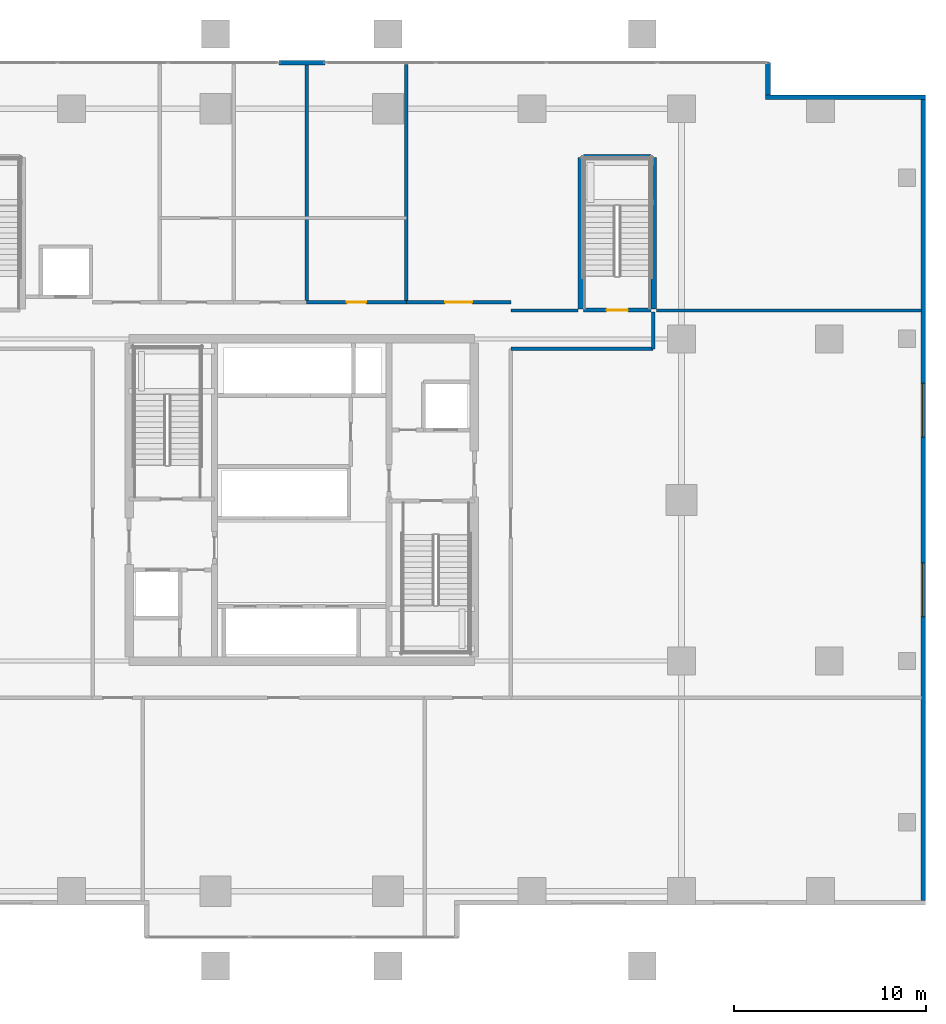
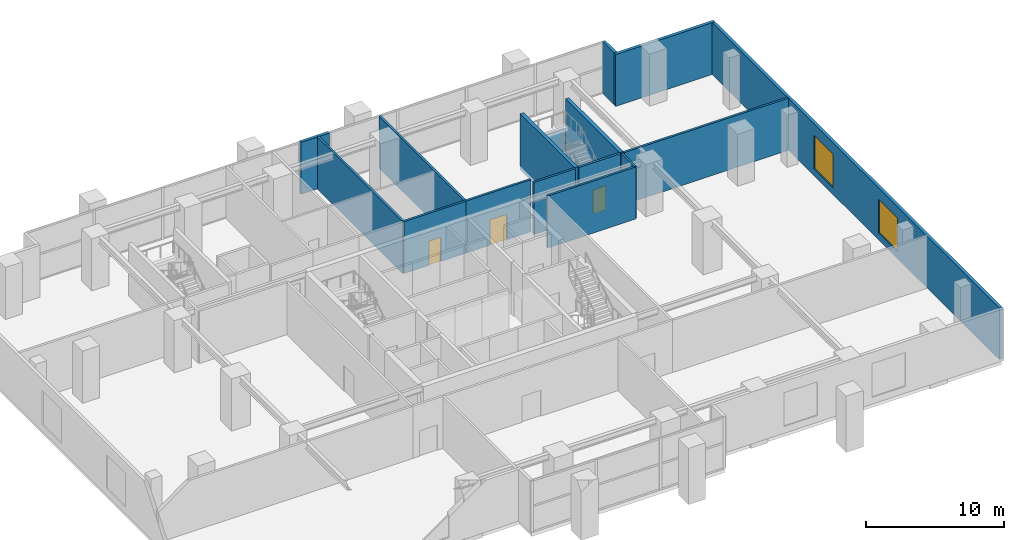
# One storey, part 15 of 20: 16 walls, 3 doors, 2 windows, 5 openings.
"""IFC4 building model written with IfcOpenShell, lengths in metres."""

from ifc_helpers import new_model, si_unit, direction, frame, frame_2d, origin, place, context, subcontext, project, spatial, rectangle, extrude, source, transform, mapped, material, layer, layer_set, type_object, element, fill, save


model = new_model("IFC4")

# Units and contexts
model_context = context("Model", 3, precision=1e-05, world=origin(), true_north=direction((0.0, 1.0)))
body_context = subcontext(model_context, "Body", "Model", "MODEL_VIEW")
ifc_project = project(units=[si_unit("LENGTHUNIT", "METRE"), si_unit("AREAUNIT", "SQUARE_METRE"), si_unit("VOLUMEUNIT", "CUBIC_METRE"), si_unit("PLANEANGLEUNIT", "RADIAN"), si_unit("MASSUNIT", "GRAM", prefix="KILO")], contexts=[model_context])

# Site, building, storey
site_placement = place(None, origin())
site = spatial("IfcSite", under=ifc_project, at=site_placement, CompositionType="ELEMENT")
building_placement = place(site_placement, origin())
building = spatial("IfcBuilding", under=site, at=building_placement, Name="Serunith Strait Residences", CompositionType="ELEMENT")
storey_placement = place(building_placement, frame((0.0, 0.0, 5.5)))
storey = spatial("IfcBuildingStorey", under=building, at=storey_placement, Name="L01", CompositionType="ELEMENT", Elevation=5.5)

# Wall, openings, windows
ifc_material_1 = material(Name="Pale-Silver Aluminium Terracotta-Backed Wall", Category="masonry")
ifc_layer_1 = layer(ifc_material_1, 0.25, Name="Pale-Silver Aluminium Terracotta-Backed Wall")
ifc_layer_set_1 = layer_set([ifc_layer_1], Name="Pale-Silver Aluminium Terracotta-Backed Wall")
wall_type_1 = type_object("IfcWallType", Name="EW-POD-250", PredefinedType="ELEMENTEDWALL", material=ifc_layer_set_1)
wall_1_placement = place(storey_placement, frame((64.800048828125, 4.324951171875, 0.0), z_axis=(0.0, 0.0, 1.0), x_axis=(0.0, 1.0, 0.0)))
wall_1 = element("IfcWall", 1, at=wall_1_placement, inside=storey, type_object=wall_type_1, Name="L01 Podium Envelope Wall 6", PredefinedType="ELEMENTEDWALL", context=body_context, shape_type="SweptSolid", body=[
    extrude(rectangle(XDim=41.75, YDim=0.25, at=frame_2d((20.875, 0.0))), origin(), (0.0, 0.0, 1.0), 4.60498046875),
])
opening_1_placement = place(wall_1_placement, frame((14.801025390625, 0.0, 0.60009765625)))
opening_1 = element("IfcOpeningElement", 2, at=opening_1_placement, cuts=wall_1, Name="Opening W-07", PredefinedType="OPENING", context=body_context, shape_type="SweptSolid", body=[
    extrude(rectangle(XDim=2.800048828125, YDim=3.0, at=frame_2d((1.39990234375, 1.5))), frame((0.0, 0.135009765625, 0.0), z_axis=(0.0, -1.0, 0.0), x_axis=(1.0, 0.0, 0.0)), (0.0, 0.0, 1.0), 0.27001953125),
])
opening_2_placement = place(wall_1_placement, frame((24.14892578125, 0.0, 0.60009765625)))
opening_2 = element("IfcOpeningElement", 3, at=opening_2_placement, cuts=wall_1, Name="Opening W-07", PredefinedType="OPENING", context=body_context, shape_type="SweptSolid", body=[
    extrude(rectangle(XDim=2.800048828125, YDim=3.0, at=frame_2d((1.39990234375, 1.5))), frame((0.0, 0.135009765625, 0.0), z_axis=(0.0, -1.0, 0.0), x_axis=(1.0, 0.0, 0.0)), (0.0, 0.0, 1.0), 0.27001953125),
])
ifc_material_2 = material(Name="Podium Storefront Low-E Laminated Glass", Category="glass")
window_type = type_object("IfcWindowType", Name="WIN-POD1", PartitioningType="TRIPLE_PANEL_VERTICAL", PredefinedType="WINDOW", material=ifc_material_2)
shared_shape_1 = source(origin(), body_context, "Body", "SweptSolid", [
    extrude(rectangle(XDim=2.800048828125, YDim=3.0, at=frame_2d((1.39990234375, 1.5))), frame((0.0, 0.030029296875, 0.0), z_axis=(0.0, -1.0, 0.0), x_axis=(1.0, 0.0, 0.0)), (0.0, 0.0, 1.0), 0.06005859375),
])
window_1_placement = place(opening_1_placement, origin())
window_1 = element("IfcWindow", 4, at=window_1_placement, inside=storey, type_object=window_type, Name="L01 Podium Window 6A", OverallHeight=3.0, OverallWidth=2.800048828125, PartitioningType="SINGLE_PANEL", PredefinedType="WINDOW", context=body_context, shape_type="MappedRepresentation", body=[
    mapped(shared_shape_1, transform((0.0, 0.0, 0.0), scale=1.0)),
])
fill(opening_1, window_1)
window_2_placement = place(opening_2_placement, origin())
window_2 = element("IfcWindow", 5, at=window_2_placement, inside=storey, type_object=window_type, Name="L01 Podium Window 6B", OverallHeight=3.0, OverallWidth=2.800048828125, PartitioningType="SINGLE_PANEL", PredefinedType="WINDOW", context=body_context, shape_type="MappedRepresentation", body=[
    mapped(shared_shape_1, transform((0.0, 0.0, 0.0), scale=1.0)),
])
fill(opening_2, window_2)

# Walls
wall_2_placement = place(storey_placement, frame((64.925048828125, 46.199951171875, 0.0), z_axis=(0.0, 0.0, 1.0), x_axis=(-1.0, 0.0, 0.0)))
element("IfcWall", 6, at=wall_2_placement, inside=storey, type_object=wall_type_1, Name="L01 Podium Envelope Wall 7", PredefinedType="ELEMENTEDWALL", context=body_context, shape_type="SweptSolid", body=[
    extrude(rectangle(XDim=8.35009765625, YDim=0.25, at=frame_2d((4.175048828125, 0.0))), origin(), (0.0, 0.0, 1.0), 4.60498046875),
])
wall_3_placement = place(storey_placement, frame((56.699951171875, 46.324951171875, 0.0), z_axis=(0.0, 0.0, 1.0), x_axis=(0.0, 1.0, 0.0)))
element("IfcWall", 7, at=wall_3_placement, inside=storey, type_object=wall_type_1, Name="L01 Podium Envelope Wall 8", PredefinedType="ELEMENTEDWALL", context=body_context, shape_type="SweptSolid", body=[
    extrude(rectangle(XDim=1.675048828125, YDim=0.25, at=frame_2d((0.83740234375, 0.0))), origin(), (0.0, 0.0, 1.0), 4.60498046875),
])
wall_4_placement = place(storey_placement, frame((33.60009765625, 48.0, 0.0), z_axis=(0.0, 0.0, 1.0), x_axis=(-1.0, 0.0, 0.0)))
element("IfcWall", 8, at=wall_4_placement, inside=storey, type_object=wall_type_1, Name="L01 Podium Galleria Central Pier", PredefinedType="ELEMENTEDWALL", context=body_context, shape_type="SweptSolid", body=[
    extrude(rectangle(XDim=2.400146484375, YDim=0.25, at=frame_2d((1.2001953125, 0.0))), origin(), (0.0, 0.0, 1.0), 4.60498046875),
])
ifc_material_3 = material(Name="Fire-rated acoustic gypsum partition")
ifc_layer_2 = layer(ifc_material_3, 0.179931640625, Name="Fire-rated acoustic gypsum partition")
ifc_layer_set_2 = layer_set([ifc_layer_2], Name="Fire-rated acoustic gypsum partition")
wall_type_2 = type_object("IfcWallType", Name="IW-CORR-180", PredefinedType="PARTITIONING", material=ifc_layer_set_2)
wall_5_placement = place(storey_placement, frame((43.300048828125, 35.080078125, 0.0), z_axis=(0.0, 0.0, 1.0), x_axis=(1.0, 0.0, 0.0)))
element("IfcWall", 9, at=wall_5_placement, inside=storey, type_object=wall_type_2, Name="L01 Partition Wall 019", PredefinedType="PARTITIONING", context=body_context, shape_type="SweptSolid", body=[
    extrude(rectangle(XDim=3.5, YDim=0.179931640625, at=frame_2d((1.75, 0.0))), origin(), (0.0, 0.0, 1.0), 4.6201171875),
])
wall_6_placement = place(storey_placement, frame((43.300048828125, 33.080078125, 0.0), z_axis=(0.0, 0.0, 1.0), x_axis=(1.0, 0.0, 0.0)))
element("IfcWall", 10, at=wall_6_placement, inside=storey, type_object=wall_type_2, Name="L01 Partition Wall 020", PredefinedType="PARTITIONING", context=body_context, shape_type="SweptSolid", body=[
    extrude(rectangle(XDim=7.419921875, YDim=0.179931640625, at=frame_2d((3.7099609375, 0.0))), origin(), (0.0, 0.0, 1.0), 4.6201171875),
])
wall_7_placement = place(storey_placement, frame((50.89990234375, 35.080078125, 0.0), z_axis=(0.0, 0.0, 1.0), x_axis=(1.0, 0.0, 0.0)))
element("IfcWall", 11, at=wall_7_placement, inside=storey, type_object=wall_type_2, Name="L01 Partition Wall 021", PredefinedType="PARTITIONING", context=body_context, shape_type="SweptSolid", body=[
    extrude(rectangle(XDim=13.818115234375, YDim=0.179931640625, at=frame_2d((6.9091796875, 0.0))), origin(), (0.0, 0.0, 1.0), 4.6201171875),
])
wall_8_placement = place(storey_placement, frame((50.719970703125, 33.080078125, 0.0), z_axis=(0.0, 0.0, 1.0), x_axis=(0.0, 1.0, 0.0)))
element("IfcWall", 12, at=wall_8_placement, inside=storey, type_object=wall_type_2, Name="L01 Partition Wall 023", PredefinedType="PARTITIONING", context=body_context, shape_type="SweptSolid", body=[
    extrude(rectangle(XDim=1.919921875, YDim=0.179931640625, at=frame_2d((0.9599609375, 0.0))), origin(), (0.0, 0.0, 1.0), 4.6201171875),
])
for number, where, z_axis, x_axis, name in (
    (13, (32.64990234375, 35.5, 0.0), (0.0, 0.0, 1.0), (0.0, 1.0, 0.0), "L01 Partition Wall 028"),
    (14, (37.85009765625, 35.5, 0.0), (0.0, 0.0, 1.0), (0.0, 1.0, 0.0), "L01 Partition Wall 029"),
):
    element("IfcWall", number, at=place(storey_placement, frame(where, z_axis=z_axis, x_axis=x_axis)), inside=storey, type_object=wall_type_2, Name=name, PredefinedType="PARTITIONING", context=body_context, shape_type="SweptSolid", body=[
        extrude(rectangle(XDim=12.41796875, YDim=0.179931640625, at=frame_2d((6.208984375, 0.0))), origin(), (0.0, 0.0, 1.0), 4.6201171875),
    ])

# Wall, opening, door
wall_9_placement = place(storey_placement, frame((32.652099609375, 35.5, 0.0), z_axis=(0.0, 0.0, 1.0), x_axis=(1.0, 0.0, 0.0)))
wall_9 = element("IfcWall", 15, at=wall_9_placement, inside=storey, type_object=wall_type_2, Name="L01 Partition Wall 036", PredefinedType="PARTITIONING", context=body_context, shape_type="SweptSolid", body=[
    extrude(rectangle(XDim=5.197998046875, YDim=0.179931640625, at=frame_2d((2.59912109375, 0.0))), origin(), (0.0, 0.0, 1.0), 4.6201171875),
])
opening_3_placement = place(wall_9_placement, frame((2.09912109375, 0.0, 0.0)))
opening_3 = element("IfcOpeningElement", 16, at=opening_3_placement, cuts=wall_9, Name="Opening D-APT1000", PredefinedType="OPENING", context=body_context, shape_type="SweptSolid", body=[
    extrude(rectangle(XDim=1.0, YDim=2.14990234375, at=frame_2d((0.5, 1.074951171875))), frame((0.0, 0.10009765625, 0.0), z_axis=(0.0, -1.0, 0.0), x_axis=(1.0, 0.0, 0.0)), (0.0, 0.0, 1.0), 0.199951171875),
])
ifc_material_4 = material(Name="Solid timber engineered fire door", Category="wood")
door_type_1 = type_object("IfcDoorType", Name="ID-APT-1000", OperationType="NOTDEFINED", PredefinedType="DOOR", material=ifc_material_4)
shared_shape_2 = source(origin(), body_context, "Body", "SweptSolid", [
    extrude(rectangle(XDim=1.0, YDim=2.14990234375, at=frame_2d((0.5, 1.074951171875))), frame((0.0, 0.02490234375, 0.0), z_axis=(0.0, -1.0, 0.0), x_axis=(1.0, 0.0, 0.0)), (0.0, 0.0, 1.0), 0.050048828125),
])
door_1_placement = place(opening_3_placement, origin())
door_1 = element("IfcDoor", 17, at=door_1_placement, inside=storey, type_object=door_type_1, Name="L01 Public Female WC Door", OperationType="SINGLE_SWING_RIGHT", OverallHeight=2.14990234375, OverallWidth=1.0, PredefinedType="DOOR", context=body_context, shape_type="MappedRepresentation", body=[
    mapped(shared_shape_2, transform((0.0, 0.0, 0.0), scale=1.0)),
])
fill(opening_3, door_1)

wall_10_placement = place(storey_placement, frame((37.85205078125, 35.5, 0.0), z_axis=(0.0, 0.0, 1.0), x_axis=(1.0, 0.0, 0.0)))
wall_10 = element("IfcWall", 18, at=wall_10_placement, inside=storey, type_object=wall_type_2, Name="L01 Partition Wall 037", PredefinedType="PARTITIONING", context=body_context, shape_type="SweptSolid", body=[
    extrude(rectangle(XDim=5.447998046875, YDim=0.179931640625, at=frame_2d((2.72412109375, 0.0))), origin(), (0.0, 0.0, 1.0), 4.6201171875),
])
opening_4_placement = place(wall_10_placement, frame((2.02392578125, 0.0, 0.0)))
opening_4 = element("IfcOpeningElement", 19, at=opening_4_placement, cuts=wall_10, Name="Opening D-POD1400", PredefinedType="OPENING", context=body_context, shape_type="SweptSolid", body=[
    extrude(rectangle(XDim=1.39990234375, YDim=2.25, at=frame_2d((0.699951171875, 1.125))), frame((0.0, 0.10009765625, 0.0), z_axis=(0.0, -1.0, 0.0), x_axis=(1.0, 0.0, 0.0)), (0.0, 0.0, 1.0), 0.199951171875),
])
ifc_material_5 = material(Name="Pale-champagne aluminium glazed suite door", Category="aluminium")
door_type_2 = type_object("IfcDoorType", Name="ID-POD-1400", OperationType="DOUBLE_DOOR_SINGLE_SWING", PredefinedType="DOOR", material=ifc_material_5)
shared_shape_3 = source(origin(), body_context, "Body", "SweptSolid", [
    extrude(rectangle(XDim=1.39990234375, YDim=2.25, at=frame_2d((0.699951171875, 1.125))), frame((0.0, 0.02490234375, 0.0), z_axis=(0.0, -1.0, 0.0), x_axis=(1.0, 0.0, 0.0)), (0.0, 0.0, 1.0), 0.050048828125),
])
door_2_placement = place(opening_4_placement, origin())
door_2 = element("IfcDoor", 20, at=door_2_placement, inside=storey, type_object=door_type_2, Name="L01 North-East Room Door", OperationType="DOUBLE_DOOR_SINGLE_SWING", OverallHeight=2.25, OverallWidth=1.39990234375, PredefinedType="DOOR", context=body_context, shape_type="MappedRepresentation", body=[
    mapped(shared_shape_3, transform((0.0, 0.0, 0.0), scale=1.0)),
])
fill(opening_4, door_2)

ifc_material_6 = material(Name="Autoclaved aerated concrete blockwork", Category="masonry")
ifc_layer_3 = layer(ifc_material_6, 0.199951171875, Name="Autoclaved aerated concrete blockwork")
ifc_layer_set_3 = layer_set([ifc_layer_3], Name="Autoclaved aerated concrete blockwork")
wall_type_3 = type_object("IfcWallType", Name="IW-SHAFT-200", PredefinedType="STANDARD", material=ifc_layer_set_3)
wall_11_placement = place(storey_placement, frame((47.10009765625, 35.10009765625, 0.0), z_axis=(0.0, 0.0, 1.0), x_axis=(1.0, 0.0, 0.0)))
wall_11 = element("IfcWall", 21, at=wall_11_placement, inside=storey, type_object=wall_type_3, Name="L01 ST-4 South Shaft Wall", PredefinedType="STANDARD", context=body_context, shape_type="SweptSolid", body=[
    extrude(rectangle(XDim=3.5, YDim=0.199951171875, at=frame_2d((1.75, 0.0))), origin(), (0.0, 0.0, 1.0), 4.6201171875),
])
opening_5_placement = place(wall_11_placement, frame((1.199951171875, 0.0, 0.0)))
opening_5 = element("IfcOpeningElement", 22, at=opening_5_placement, cuts=wall_11, Name="Opening FD-1100", PredefinedType="OPENING", context=body_context, shape_type="SweptSolid", body=[
    extrude(rectangle(XDim=1.10009765625, YDim=2.14990234375, at=frame_2d((0.550048828125, 1.074951171875))), frame((0.0, 0.10986328125, 0.0), z_axis=(0.0, -1.0, 0.0), x_axis=(1.0, 0.0, 0.0)), (0.0, 0.0, 1.0), 0.219970703125),
])
ifc_material_7 = material(Name="Galvanised steel fire door leaf", Category="steel")
door_type_3 = type_object("IfcDoorType", Name="FD-STAIR-1100", OperationType="NOTDEFINED", PredefinedType="DOOR", material=ifc_material_7)
shared_shape_4 = source(origin(), body_context, "Body", "SweptSolid", [
    extrude(rectangle(XDim=1.10009765625, YDim=2.14990234375, at=frame_2d((0.550048828125, 1.074951171875))), frame((0.0, 0.02490234375, 0.0), z_axis=(0.0, -1.0, 0.0), x_axis=(1.0, 0.0, 0.0)), (0.0, 0.0, 1.0), 0.050048828125),
])
door_3_placement = place(opening_5_placement, origin())
door_3 = element("IfcDoor", 23, at=door_3_placement, inside=storey, type_object=door_type_3, Name="L01 ST-4 Escape Stair Door", OperationType="SINGLE_SWING_RIGHT", OverallHeight=2.14990234375, OverallWidth=1.10009765625, PredefinedType="DOOR", context=body_context, shape_type="MappedRepresentation", body=[
    mapped(shared_shape_4, transform((0.0, 0.0, 0.0), scale=1.0)),
])
fill(opening_5, door_3)

# Walls
wall_12_placement = place(storey_placement, frame((47.10009765625, 43.10009765625, 0.0), z_axis=(0.0, 0.0, 1.0), x_axis=(1.0, 0.0, 0.0)))
element("IfcWall", 24, at=wall_12_placement, inside=storey, type_object=wall_type_3, Name="L01 ST-4 North Shaft Wall", PredefinedType="STANDARD", context=body_context, shape_type="SweptSolid", body=[
    extrude(rectangle(XDim=3.5, YDim=0.199951171875, at=frame_2d((1.75, 0.0))), origin(), (0.0, 0.0, 1.0), 1.985107421875),
])
ifc_material_8 = material(Name="Concrete C60/75", Category="concrete")
ifc_layer_4 = layer(ifc_material_8, 0.300048828125, Name="Concrete C60/75")
ifc_layer_set_4 = layer_set([ifc_layer_4], Name="Concrete C60/75")
wall_type_4 = type_object("IfcWallType", Name="SW-300-C60", PredefinedType="SHEAR", material=ifc_layer_set_4)
for number, where, z_axis, x_axis, name in (
    (25, (46.949951171875, 35.14990234375, -0.3798828125), (0.0, 0.0, 1.0), (0.0, 1.0, 0.0), "L01 ST-4 West Structural Shaft Wall"),
    (26, (50.75, 35.14990234375, -0.3798828125), (0.0, 0.0, 1.0), (0.0, 1.0, 0.0), "L01 ST-4 East Structural Shaft Wall"),
):
    element("IfcWall", number, at=place(storey_placement, frame(where, z_axis=z_axis, x_axis=x_axis)), inside=storey, type_object=wall_type_4, Name=name, PredefinedType="SHEAR", context=body_context, shape_type="SweptSolid", body=[
        extrude(rectangle(XDim=7.900146484375, YDim=0.300048828125, at=frame_2d((3.9501953125, 0.0))), origin(), (0.0, 0.0, 1.0), 4.997802734375),
    ])

save(model, "model.ifc")
